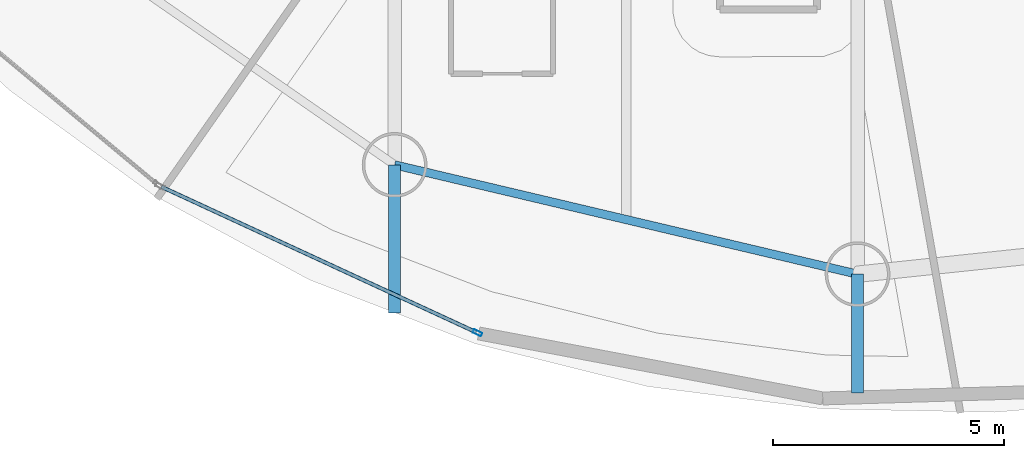
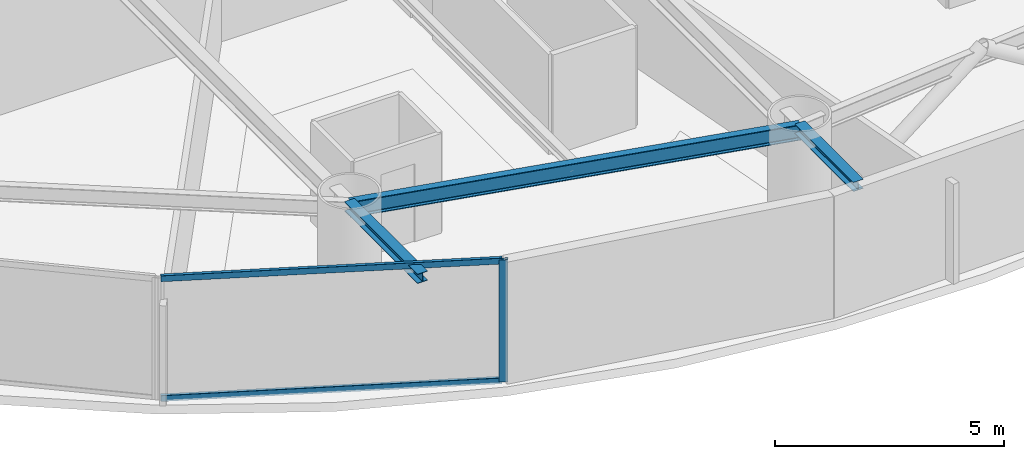
# One storey, part 4 of 23: 3 beams, 3 members, 1 element without a shape of its own.
"""IFC4 building model written with IfcOpenShell, lengths in metres."""

from ifc_helpers import new_model, si_unit, direction, frame, origin, origin_2d, place, context, subcontext, project, spatial, hollow_rectangle, i_section, extrude, material, layer, layer_set, material_profile, profile_set, type_object, element, aggregate, save


model = new_model("IFC4")

# Units and contexts
model_context = context("Model", 3, precision=1e-05, world=origin(), true_north=direction((0.0, 1.0)))
body_context = subcontext(model_context, "Body", "Model", "MODEL_VIEW")
ifc_project = project(units=[si_unit("LENGTHUNIT", "METRE"), si_unit("AREAUNIT", "SQUARE_METRE"), si_unit("VOLUMEUNIT", "CUBIC_METRE"), si_unit("PLANEANGLEUNIT", "RADIAN"), si_unit("MASSUNIT", "GRAM", prefix="KILO")], contexts=[model_context])

# Site, building, storey
site_placement = place(None, origin())
site = spatial("IfcSite", under=ifc_project, at=site_placement, CompositionType="ELEMENT")
building_placement = place(site_placement, origin())
building = spatial("IfcBuilding", under=site, at=building_placement, Name="Bramvorn Convention Spire", CompositionType="ELEMENT")
storey_placement = place(building_placement, frame((0.0, 0.0, 158.800048828125)))
storey = spatial("IfcBuildingStorey", under=building, at=storey_placement, Name="L40", CompositionType="ELEMENT", Elevation=158.800048828125)

# Beams
ifc_material_1 = material(Name="Steel CSA G40.21 Grade 350 (350W)", Category="steel")
ifc_material_profile_1 = material_profile(ifc_material_1, i_section(OverallWidth=0.25390625, OverallDepth=0.2529296875, WebThickness=0.008544921875, FlangeThickness=0.01416015625, FilletRadius=0.011962890625, at=origin_2d()))
ifc_profile_set_1 = profile_set([ifc_material_profile_1], Name="Steel CSA G40.21 Grade 350 (350W) - W250X73")
beam_type_1 = type_object("IfcBeamType", Name="BM-W250X73", PredefinedType="BEAM", material=ifc_profile_set_1)
beam_1_placement = place(storey_placement, frame((29.917236328125, 7.845947265625, 3.133544921875), z_axis=(0.0, -1.0, 0.0), x_axis=(1.0, 0.0, 0.0)))
element("IfcBeam", 1, at=beam_1_placement, inside=storey, type_object=beam_type_1, Name="L40 slab-edge cantilever tip beam MC13", PredefinedType="BEAM", context=body_context, shape_type="SweptSolid", body=[
    extrude(i_section(OverallWidth=0.25390625, OverallDepth=0.2529296875, WebThickness=0.008544921875, FlangeThickness=0.01416015625, FilletRadius=0.011962890625, at=origin_2d()), origin(), (0.0, 0.0, 1.0), 3.199951171875),
])
beam_2_placement = place(storey_placement, frame((39.924072265625, 5.482666015625, 3.133544921875), z_axis=(0.0, -1.0, 0.0), x_axis=(1.0, 0.0, 0.0)))
element("IfcBeam", 2, at=beam_2_placement, inside=storey, type_object=beam_type_1, Name="L40 slab-edge cantilever tip beam MC14", PredefinedType="BEAM", context=body_context, shape_type="SweptSolid", body=[
    extrude(i_section(OverallWidth=0.25390625, OverallDepth=0.2529296875, WebThickness=0.008544921875, FlangeThickness=0.01416015625, FilletRadius=0.011962890625, at=origin_2d()), origin(), (0.0, 0.0, 1.0), 2.568603515625),
])
ifc_material_profile_2 = material_profile(ifc_material_1, i_section(OverallWidth=0.180908203125, OverallDepth=0.4169921875, WebThickness=0.010986328125, FlangeThickness=0.018310546875, FilletRadius=0.01611328125, at=origin_2d()))
ifc_profile_set_2 = profile_set([ifc_material_profile_2], Name="Steel CSA G40.21 Grade 350 (350W) - W410X85")
beam_type_2 = type_object("IfcBeamType", Name="BM-W410X85", PredefinedType="JOIST", material=ifc_profile_set_2)
beam_3_placement = place(storey_placement, frame((29.917236328125, 7.845947265625, 3.051513671875), z_axis=(0.97322750491, -0.229843911572, 0.0), x_axis=(0.229843911572, 0.97322750491, 0.0)))
element("IfcBeam", 3, at=beam_3_placement, inside=storey, type_object=beam_type_2, Name="L40 mega-column ring beam 13", PredefinedType="JOIST", context=body_context, shape_type="SweptSolid", body=[
    extrude(i_section(OverallWidth=0.180908203125, OverallDepth=0.4169921875, WebThickness=0.010986328125, FlangeThickness=0.018310546875, FilletRadius=0.01611328125, at=origin_2d()), origin(), (0.0, 0.0, 1.0), 10.2822265625),
])

# Curtain wall, members
ifc_material_2 = material(Name="Anodised Bronze Unitised Curtain Wall", Category="aluminium")
ifc_layer = layer(ifc_material_2, 0.179931640625)
ifc_layer_set = layer_set([ifc_layer], Name="Anodised Bronze Unitised Curtain Wall - CW-HTL-FRIT")
curtain_wall_type = type_object("IfcCurtainWallType", Name="CW-HTL-FRIT", PredefinedType="USERDEFINED", material=ifc_layer_set)
curtain_wall_placement = place(storey_placement, origin())
curtain_wall = element("IfcCurtainWall", 4, at=curtain_wall_placement, inside=storey, type_object=curtain_wall_type, Name="L40 fritted glass curtain wall 19", ObjectType="UNITISED CURTAIN WALL", PredefinedType="USERDEFINED")
ifc_material_3 = material(Name="Anodised Bronze Aluminium 6063-T6", Category="aluminium")
ifc_material_profile_3 = material_profile(ifc_material_3, hollow_rectangle(XDim=0.080078125, YDim=0.199951171875, WallThickness=0.00390625, InnerFilletRadius=0.0009765625, OuterFilletRadius=0.00390625, at=origin_2d()))
ifc_profile_set_3 = profile_set([ifc_material_profile_3], Name="Anodised Bronze Aluminium 6063-T6 - CWM80X200")
member_type_1 = type_object("IfcMemberType", Name="CW-MUL-180", PredefinedType="MULLION", material=ifc_profile_set_3)
member_1_placement = place(storey_placement, frame((31.7080078125, 4.21484375, 0.0), z_axis=(0.0, 0.0, 1.0), x_axis=(-0.419496851131, -0.907756791157, 0.0)))
member_1 = element("IfcMember", 5, at=member_1_placement, type_object=member_type_1, Name="CW2 mullion 1", PredefinedType="MULLION", context=body_context, shape_type="SweptSolid", body=[
    extrude(hollow_rectangle(XDim=0.080078125, YDim=0.199951171875, WallThickness=0.00390625, InnerFilletRadius=0.0009765625, OuterFilletRadius=0.00390625, at=origin_2d()), origin(), (0.0, 0.0, 1.0), 3.260009765625),
])
ifc_material_profile_4 = material_profile(ifc_material_3, hollow_rectangle(XDim=0.080078125, YDim=0.159912109375, WallThickness=0.00390625, InnerFilletRadius=0.0009765625, OuterFilletRadius=0.00390625, at=origin_2d()))
ifc_profile_set_4 = profile_set([ifc_material_profile_4], Name="Anodised Bronze Aluminium 6063-T6 - CWT80X160")
member_type_2 = type_object("IfcMemberType", Name="CW-TRN-150", PredefinedType="USERDEFINED", material=ifc_profile_set_4)
member_2_placement = place(storey_placement, frame((31.6806640625, 4.227294921875, 0.030029296875), z_axis=(-0.907752460601, 0.419506221972, 0.0), x_axis=(-0.419506221972, -0.907752460601, 0.0)))
member_2 = element("IfcMember", 6, at=member_2_placement, type_object=member_type_2, Name="CW2 transom 1.1", ObjectType="TRANSOM", PredefinedType="USERDEFINED", context=body_context, shape_type="SweptSolid", body=[
    extrude(hollow_rectangle(XDim=0.080078125, YDim=0.159912109375, WallThickness=0.00390625, InnerFilletRadius=0.0009765625, OuterFilletRadius=0.00390625, at=origin_2d()), origin(), (0.0, 0.0, 1.0), 7.49755859375),
])
member_3_placement = place(storey_placement, frame((31.6806640625, 4.227294921875, 3.22998046875), z_axis=(-0.907752460601, 0.419506221972, 0.0), x_axis=(-0.419506221972, -0.907752460601, 0.0)))
member_3 = element("IfcMember", 7, at=member_3_placement, type_object=member_type_2, Name="CW2 transom 1.2", ObjectType="TRANSOM", PredefinedType="USERDEFINED", context=body_context, shape_type="SweptSolid", body=[
    extrude(hollow_rectangle(XDim=0.080078125, YDim=0.159912109375, WallThickness=0.00390625, InnerFilletRadius=0.0009765625, OuterFilletRadius=0.00390625, at=origin_2d()), origin(), (0.0, 0.0, 1.0), 7.49755859375),
])
aggregate(curtain_wall, [member_1, member_2, member_3])

save(model, "model.ifc")
